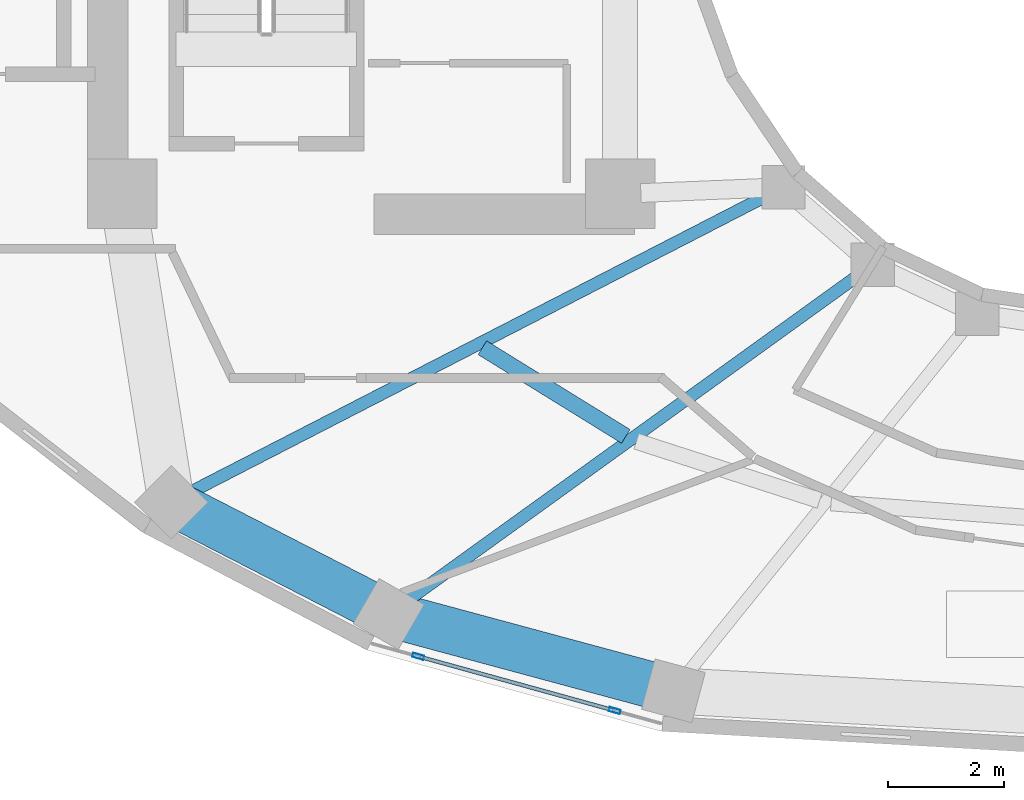
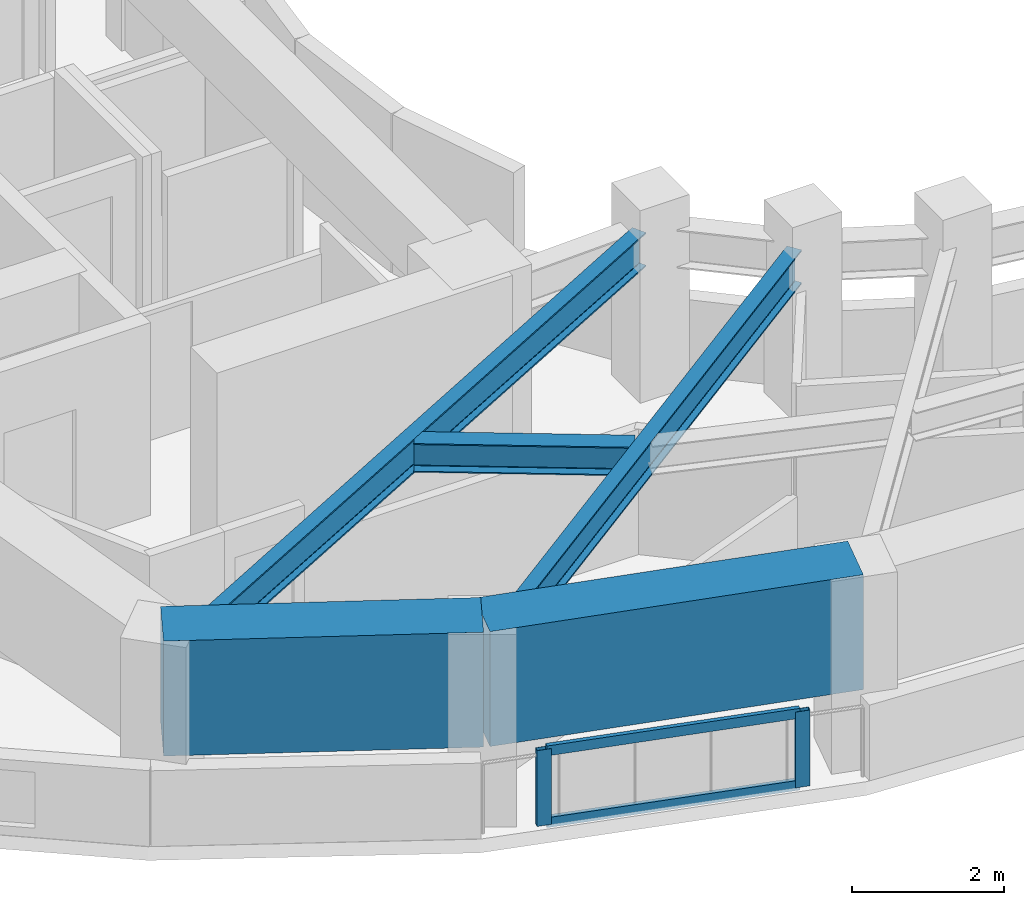
# One storey, part 2 of 20: 5 beams, 4 members, 1 element without a shape of its own.
"""IFC4 building model written with IfcOpenShell, lengths in metres."""

import ifcopenshell
import ifcopenshell.guid

model = None  # the IFC model being written
_history = None  # IfcOwnerHistory: only IFC2X3 demands one
_inside = {}  # id of a spatial element -> (the spatial element, [elements in it])
_under = {}  # id of a project, library or spatial element -> (it, [spatial elements below it])
_declared = {}  # id of a project -> (the project, [libraries it declares])
_typed = {}  # id of a type object -> (the type object, [elements of that type])
_made_of = {}  # id of a material, layer set ... -> (it, [elements and type objects made of it])


def new_model(schema):
    """Start an empty IFC model of exactly this schema.

    Asked for "IFC4X3", IfcOpenShell would pick the latest addendum, in which some entities
    have other attributes; the version numbers below select the first issue.
    IFC2X3 requires an IfcOwnerHistory on every rooted entity: one is made here for all.
    """
    global model, _history
    if schema == "IFC4X3":
        model = ifcopenshell.file(schema_version=(4, 3, 0, 0))
    else:
        model = ifcopenshell.file(schema=schema)
    _inside.clear()
    _under.clear()
    _declared.clear()
    _typed.clear()
    _made_of.clear()
    _history = None
    if model.schema == "IFC2X3":
        org = make("IfcOrganization", Name="unknown")
        user = make(
            "IfcPersonAndOrganization",
            ThePerson=make("IfcPerson", FamilyName="unknown"),
            TheOrganization=org,
        )
        app = make(
            "IfcApplication",
            ApplicationDeveloper=org,
            Version="unknown",
            ApplicationFullName="unknown",
            ApplicationIdentifier="unknown",
        )
        _history = make(
            "IfcOwnerHistory",
            OwningUser=user,
            OwningApplication=app,
            ChangeAction="ADDED",
            CreationDate=0,
        )
    return model


def make(cls, **values):
    """One entity of the class cls with the attributes given. An attribute that is None is left unset."""
    return model.create_entity(
        cls, **{name: value for name, value in values.items() if value is not None}
    )


def rooted(cls, **values):
    """An entity with a GlobalId (a new one), such as an element, a storey or a relation."""
    return make(cls, GlobalId=ifcopenshell.guid.new(), OwnerHistory=_history, **values)


def si_unit(unit_type, name, prefix=None):
    """IfcSIUnit, for example si_unit("LENGTHUNIT", "METRE", prefix="MILLI")."""
    return make("IfcSIUnit", UnitType=unit_type, Prefix=prefix, Name=name)


def assignment(units):
    """IfcUnitAssignment: the units of a project."""
    return None if units is None else make("IfcUnitAssignment", Units=units)


def point(xyz):
    """IfcCartesianPoint."""
    return None if xyz is None else make("IfcCartesianPoint", Coordinates=xyz)


def direction(xyz):
    """IfcDirection."""
    return None if xyz is None else make("IfcDirection", DirectionRatios=xyz)


def frame(location, z_axis=None, x_axis=None):
    """IfcAxis2Placement3D, a coordinate frame: its origin and axes. An axis left out is left unset."""
    return make(
        "IfcAxis2Placement3D",
        Location=point(location),
        Axis=direction(z_axis),
        RefDirection=direction(x_axis),
    )


def frame_2d(location, x_axis=None):
    """IfcAxis2Placement2D, a coordinate frame in the plane: its origin and x axis."""
    return make(
        "IfcAxis2Placement2D", Location=point(location), RefDirection=direction(x_axis)
    )


def origin():
    """The frame at (0, 0, 0) with its axes left unset."""
    return frame((0.0, 0.0, 0.0))


def origin_2d():
    """The frame at (0, 0) in the plane with its x axis left unset."""
    return frame_2d((0.0, 0.0))


def place(relative_to, where):
    """IfcLocalPlacement: puts the frame where relative to a parent placement (None: the world)."""
    return make(
        "IfcLocalPlacement", PlacementRelTo=relative_to, RelativePlacement=where
    )


def context(
    kind, dimensions, precision=None, world=None, true_north=None, identifier=None
):
    """IfcGeometricRepresentationContext, for example the 3D "Model" context."""
    return make(
        "IfcGeometricRepresentationContext",
        ContextIdentifier=identifier,
        ContextType=kind,
        CoordinateSpaceDimension=dimensions,
        Precision=precision,
        WorldCoordinateSystem=world,
        TrueNorth=true_north,
    )


def subcontext(parent, identifier, kind, view, scale=None):
    """IfcGeometricRepresentationSubContext, for example "Body" below "Model"."""
    return make(
        "IfcGeometricRepresentationSubContext",
        ContextIdentifier=identifier,
        ContextType=kind,
        ParentContext=parent,
        TargetScale=scale,
        TargetView=view,
    )


def project(units=None, contexts=None):
    """IfcProject with its units and contexts."""
    return rooted(
        "IfcProject",
        Name="project",
        RepresentationContexts=contexts,
        UnitsInContext=assignment(units),
    )


def spatial(cls, under=None, at=None, **own):
    """A site, building, storey or space (cls), placed at a placement, below another one or the project."""
    s = rooted(cls, ObjectPlacement=at, **own)
    if under is not None:
        _under.setdefault(under.id(), (under, []))[1].append(s)
    return s


def profile(cls, at=None, kind="AREA", **sizes):
    """A parametric profile (cls). Its sizes go by their IFC names, for example OverallWidth=200.0."""
    return make(cls, ProfileType=kind, Position=at, **sizes)


def rectangle(**sizes):
    """IfcRectangleProfileDef."""
    return profile("IfcRectangleProfileDef", **sizes)


def hollow_rectangle(**sizes):
    """IfcRectangleHollowProfileDef."""
    return profile("IfcRectangleHollowProfileDef", **sizes)


def i_section(**sizes):
    """IfcIShapeProfileDef."""
    return profile("IfcIShapeProfileDef", **sizes)


def extrude(swept, where, along, depth):
    """IfcExtrudedAreaSolid: the profile swept, set in the frame where, extruded along a direction by depth."""
    return make(
        "IfcExtrudedAreaSolid",
        SweptArea=swept,
        Position=where,
        ExtrudedDirection=direction(along),
        Depth=depth,
    )


def shape(context_of_items, identifier, shape_type, items):
    """IfcShapeRepresentation: the items that make up one representation, for example the "Body"."""
    return make(
        "IfcShapeRepresentation",
        ContextOfItems=context_of_items,
        RepresentationIdentifier=identifier,
        RepresentationType=shape_type,
        Items=items,
    )


def material(Name=None, Category=None):
    """IfcMaterial."""
    return make("IfcMaterial", Name=Name, Category=Category)


def layer(
    of_material, thickness, ventilated=None, Name=None, Category=None, Priority=None
):
    """IfcMaterialLayer: one layer of a wall or slab, of a material (None: an air gap)."""
    return make(
        "IfcMaterialLayer",
        Material=of_material,
        LayerThickness=thickness,
        IsVentilated=ventilated,
        Name=Name,
        Category=Category,
        Priority=Priority,
    )


def layer_set(layers, Name=None):
    """IfcMaterialLayerSet."""
    return make("IfcMaterialLayerSet", MaterialLayers=layers, LayerSetName=Name)


def material_profile(
    of_material, cross_section, Name=None, Category=None, Priority=None
):
    """IfcMaterialProfile: a cross section and its material."""
    return make(
        "IfcMaterialProfile",
        Name=Name,
        Material=of_material,
        Profile=cross_section,
        Priority=Priority,
        Category=Category,
    )


def profile_set(profiles, Name=None, composite=None):
    """IfcMaterialProfileSet."""
    return make(
        "IfcMaterialProfileSet",
        Name=Name,
        MaterialProfiles=profiles,
        CompositeProfile=composite,
    )


def made_of(thing, what):
    """Note that an element or type object is made of a material, layer set ...; save() writes the relation."""
    if what is not None:
        _made_of.setdefault(what.id(), (what, []))[1].append(thing)
    return thing


def type_object(cls, material=None, **own):
    """A type object (cls), such as IfcWallType, which elements share."""
    return made_of(rooted(cls, **own), material)


def element(
    cls,
    number,
    at=None,
    inside=None,
    cuts=None,
    type_object=None,
    material=None,
    context=None,
    identifier="Body",
    shape_type=None,
    held_by="IfcProductDefinitionShape",
    body=None,
    shapes=None,
    **own,
):
    """One element of the class cls, such as IfcWall. Its Tag is "e" and its number.

    at: its placement. inside: the storey or other place that contains it. cuts: it is an
    opening in that element (IfcRelVoidsElement). A single representation is given by context,
    identifier, shape_type and body (its items); several are given by shapes. held_by: the class
    of the entity that holds the representations. save() writes the other relations.
    """
    e = rooted(cls, Tag="e%d" % number, ObjectPlacement=at, **own)
    if body is not None:
        shapes = [shape(context, identifier, shape_type, body)]
    if shapes is not None:
        e.Representation = make(held_by, Representations=shapes)
    if inside is not None:
        _inside.setdefault(inside.id(), (inside, []))[1].append(e)
    if cuts is not None:
        rooted(
            "IfcRelVoidsElement", RelatingBuildingElement=cuts, RelatedOpeningElement=e
        )
    if type_object is not None:
        _typed.setdefault(type_object.id(), (type_object, []))[1].append(e)
    return made_of(e, material)


def aggregate(whole, parts):
    """IfcRelAggregates: a whole, such as a stair, and the parts it consists of."""
    return rooted("IfcRelAggregates", RelatingObject=whole, RelatedObjects=parts)


def save(model, path):
    """Write the relations noted so far, then the file.

    IfcRelAggregates (storeys below a building ...), IfcRelContainedInSpatialStructure (elements
    in a storey), IfcRelDefinesByType, IfcRelAssociatesMaterial and IfcRelDeclares: one each for
    every whole, place, type object, material and project.
    """
    for whole, parts in _under.values():
        aggregate(whole, parts)
    for where, things in _inside.values():
        rooted(
            "IfcRelContainedInSpatialStructure",
            RelatedElements=things,
            RelatingStructure=where,
        )
    for kind, things in _typed.values():
        rooted("IfcRelDefinesByType", RelatedObjects=things, RelatingType=kind)
    for what, things in _made_of.values():
        rooted("IfcRelAssociatesMaterial", RelatedObjects=things, RelatingMaterial=what)
    for by, libraries in _declared.values():
        rooted("IfcRelDeclares", RelatingContext=by, RelatedDefinitions=libraries)
    model.write(path)


model = new_model("IFC4")

# Units and contexts
model_context = context("Model", 3, precision=1e-05, world=origin(), true_north=direction((0.0, 1.0)))
body_context = subcontext(model_context, "Body", "Model", "MODEL_VIEW")
ifc_project = project(units=[si_unit("LENGTHUNIT", "METRE"), si_unit("AREAUNIT", "SQUARE_METRE"), si_unit("VOLUMEUNIT", "CUBIC_METRE"), si_unit("PLANEANGLEUNIT", "RADIAN"), si_unit("MASSUNIT", "GRAM", prefix="KILO")], contexts=[model_context])

# Site, building, storey
site_placement = place(None, origin())
site = spatial("IfcSite", under=ifc_project, at=site_placement, CompositionType="ELEMENT")
building_placement = place(site_placement, origin())
building = spatial("IfcBuilding", under=site, at=building_placement, Name="Solvane Sanctuary Tower", CompositionType="ELEMENT")
storey_placement = place(building_placement, frame((0.0, 0.0, 159.10009765625)))
storey = spatial("IfcBuildingStorey", under=building, at=storey_placement, Name="L48", CompositionType="ELEMENT", Elevation=159.10009765625)

# Beams
ifc_material_1 = material(Name="Steel ASTM A992 Grade 50", Category="steel")
ifc_material_profile_1 = material_profile(ifc_material_1, i_section(OverallWidth=0.214111328125, OverallDepth=0.549072265625, WebThickness=0.0146484375, FlangeThickness=0.023681640625, FilletRadius=0.014892578125, at=origin_2d()), Name="W21X93")
ifc_profile_set_1 = profile_set([ifc_material_profile_1], Name="Steel ASTM A992 Grade 50")
beam_type_1 = type_object("IfcBeamType", Name="Beam B-RAD-Z3 W21X93", PredefinedType="JOIST", material=ifc_profile_set_1)
beam_1_placement = place(storey_placement, frame((26.47607421875, 16.889892578125, 2.323486328125), z_axis=(-0.889204980299, -0.457509019595, 0.0), x_axis=(0.457509019595, -0.889204980299, 0.0)))
element("IfcBeam", 1, at=beam_1_placement, inside=storey, type_object=beam_type_1, Name="L48 Radial Composite Floor Beam 08", PredefinedType="JOIST", context=body_context, shape_type="SweptSolid", body=[
    extrude(i_section(OverallWidth=0.214111328125, OverallDepth=0.549072265625, WebThickness=0.0146484375, FlangeThickness=0.023681640625, FilletRadius=0.014892578125, at=origin_2d()), origin(), (0.0, 0.0, 1.0), 11.340087890625),
])
beam_2_placement = place(storey_placement, frame((28.04296875, 15.509765625, 2.323486328125), z_axis=(-0.811184384633, -0.584790470277, 0.0), x_axis=(0.584790470277, -0.811184384633, 0.0)))
element("IfcBeam", 2, at=beam_2_placement, inside=storey, type_object=beam_type_1, Name="L48 Radial Composite Floor Beam 09", PredefinedType="JOIST", context=body_context, shape_type="SweptSolid", body=[
    extrude(i_section(OverallWidth=0.214111328125, OverallDepth=0.549072265625, WebThickness=0.0146484375, FlangeThickness=0.023681640625, FilletRadius=0.014892578125, at=origin_2d()), origin(), (0.0, 0.0, 1.0), 9.756103515625),
])
ifc_material_profile_2 = material_profile(ifc_material_1, i_section(OverallWidth=0.280029296875, OverallDepth=0.462890625, WebThickness=0.0107421875, FlangeThickness=0.017333984375, FilletRadius=0.013916015625, at=origin_2d()), Name="W18X76")
ifc_profile_set_2 = profile_set([ifc_material_profile_2], Name="Steel ASTM A992 Grade 50")
beam_type_2 = type_object("IfcBeamType", Name="Beam B-SEC-JOIST W18X76", PredefinedType="JOIST", material=ifc_profile_set_2)
beam_3_placement = place(storey_placement, frame((21.52099609375, 14.2421875, 2.366455078125), z_axis=(0.850675655701, -0.525690906139, 0.0), x_axis=(0.525690906139, 0.850675655701, 0.0)))
element("IfcBeam", 3, at=beam_3_placement, inside=storey, type_object=beam_type_2, Name="L48 Secondary Circumferential Joist 08-09", PredefinedType="JOIST", context=body_context, shape_type="SweptSolid", body=[
    extrude(i_section(OverallWidth=0.280029296875, OverallDepth=0.462890625, WebThickness=0.0107421875, FlangeThickness=0.017333984375, FilletRadius=0.013916015625, at=origin_2d()), origin(), (0.0, 0.0, 1.0), 2.913330078125),
])
ifc_material_2 = material(Name="Concrete C70/85", Category="concrete")
ifc_material_profile_3 = material_profile(ifc_material_2, rectangle(XDim=0.800048828125, YDim=1.85009765625, at=origin_2d()), Name="RC800X1850")
ifc_profile_set_3 = profile_set([ifc_material_profile_3], Name="Concrete C70/85")
beam_type_3 = type_object("IfcBeamType", Name="Beam B-XFER-BLK RC800X1850", PredefinedType="BEAM", material=ifc_profile_set_3)
beam_4_placement = place(storey_placement, frame((16.143310546875, 11.573486328125, 2.1748046875), z_axis=(0.889297870953, -0.457328434189, 0.0), x_axis=(0.457328434189, 0.889297870953, 0.0)))
element("IfcBeam", 4, at=beam_4_placement, inside=storey, type_object=beam_type_3, Name="L48 Perimeter Step Transfer Ring NTC08-NTC09", PredefinedType="BEAM", context=body_context, shape_type="SweptSolid", body=[
    extrude(rectangle(XDim=0.800048828125, YDim=1.85009765625, at=origin_2d()), origin(), (0.0, 0.0, 1.0), 4.226318359375),
])
beam_5_placement = place(storey_placement, frame((19.90185546875, 9.640625, 2.1748046875), z_axis=(0.965477774792, -0.260485443705, 0.0), x_axis=(0.260485443705, 0.965477774792, 0.0)))
element("IfcBeam", 5, at=beam_5_placement, inside=storey, type_object=beam_type_3, Name="L48 Perimeter Step Transfer Ring NTC09-NTC10", PredefinedType="BEAM", context=body_context, shape_type="SweptSolid", body=[
    extrude(rectangle(XDim=0.800048828125, YDim=1.85009765625, at=origin_2d()), origin(), (0.0, 0.0, 1.0), 5.095947265625),
])

# Curtain wall, members
ifc_material_3 = material(Name="Anodised Aluminium 6063-T6", Category="aluminium")
ifc_layer = layer(ifc_material_3, 0.179931640625, Name="Anodised Aluminium 6063-T6")
ifc_layer_set = layer_set([ifc_layer], Name="Anodised Aluminium 6063-T6")
curtain_wall_type = type_object("IfcCurtainWallType", Name="Curtain Wall CW-FRIT-Z2", PredefinedType="NOTDEFINED", material=ifc_layer_set)
curtain_wall_placement = place(storey_placement, origin())
curtain_wall = element("IfcCurtainWall", 6, at=curtain_wall_placement, inside=storey, type_object=curtain_wall_type, Name="L48 CW-FRIT-Z2 Facade Run 16", PredefinedType="NOTDEFINED")
ifc_material_profile_4 = material_profile(ifc_material_3, hollow_rectangle(XDim=0.074951171875, YDim=0.199951171875, WallThickness=0.00390625, at=origin_2d()), Name="ALU200X75X4")
ifc_profile_set_4 = profile_set([ifc_material_profile_4], Name="Anodised Aluminium 6063-T6")
member_type_1 = type_object("IfcMemberType", Name="Member M-CW-MUL-1 ALU200X75X4", PredefinedType="MULLION", material=ifc_profile_set_4)
member_1_placement = place(storey_placement, frame((20.413330078125, 8.908447265625, 0.0), z_axis=(0.0, 0.0, 1.0), x_axis=(0.266021653965, 0.963967053183, 0.0)))
member_1 = element("IfcMember", 7, at=member_1_placement, type_object=member_type_1, Name="CW-FRIT-Z2 mullion 1", PredefinedType="MULLION", context=body_context, shape_type="SweptSolid", body=[
    extrude(hollow_rectangle(XDim=0.074951171875, YDim=0.199951171875, WallThickness=0.00390625, at=origin_2d()), origin(), (0.0, 0.0, 1.0), 1.219970703125),
])
member_2_placement = place(storey_placement, frame((23.808349609375, 7.9716796875, 0.0), z_axis=(0.0, 0.0, 1.0), x_axis=(0.266021653965, 0.963967053183, 0.0)))
member_2 = element("IfcMember", 8, at=member_2_placement, type_object=member_type_1, Name="CW-FRIT-Z2 mullion 2", PredefinedType="MULLION", context=body_context, shape_type="SweptSolid", body=[
    extrude(hollow_rectangle(XDim=0.074951171875, YDim=0.199951171875, WallThickness=0.00390625, at=origin_2d()), origin(), (0.0, 0.0, 1.0), 1.219970703125),
])
ifc_material_profile_5 = material_profile(ifc_material_3, hollow_rectangle(XDim=0.06494140625, YDim=0.159912109375, WallThickness=0.00341796875, at=origin_2d()), Name="ALU160X65X3.5")
ifc_profile_set_5 = profile_set([ifc_material_profile_5], Name="Anodised Aluminium 6063-T6")
member_type_2 = type_object("IfcMemberType", Name="Member M-CW-TRN-1 ALU160X65X3.5", PredefinedType="USERDEFINED", material=ifc_profile_set_5)
member_3_placement = place(storey_placement, frame((20.44970703125, 8.8984375, 0.032470703125), z_axis=(0.963960051492, -0.266047024278, 0.0), x_axis=(0.266047024278, 0.963960051492, 0.0)))
member_3 = element("IfcMember", 9, at=member_3_placement, type_object=member_type_2, Name="CW-FRIT-Z2 transom 1.1", ObjectType="TRANSOM", PredefinedType="USERDEFINED", context=body_context, shape_type="SweptSolid", body=[
    extrude(hollow_rectangle(XDim=0.06494140625, YDim=0.159912109375, WallThickness=0.00341796875, at=origin_2d()), origin(), (0.0, 0.0, 1.0), 3.44677734375),
])
member_4_placement = place(storey_placement, frame((20.44970703125, 8.8984375, 1.1875), z_axis=(0.963960051492, -0.266047024278, 0.0), x_axis=(0.266047024278, 0.963960051492, 0.0)))
member_4 = element("IfcMember", 10, at=member_4_placement, type_object=member_type_2, Name="CW-FRIT-Z2 transom 1.2", ObjectType="TRANSOM", PredefinedType="USERDEFINED", context=body_context, shape_type="SweptSolid", body=[
    extrude(hollow_rectangle(XDim=0.06494140625, YDim=0.159912109375, WallThickness=0.00341796875, at=origin_2d()), origin(), (0.0, 0.0, 1.0), 3.44677734375),
])
aggregate(curtain_wall, [member_1, member_2, member_3, member_4])

save(model, "model.ifc")
